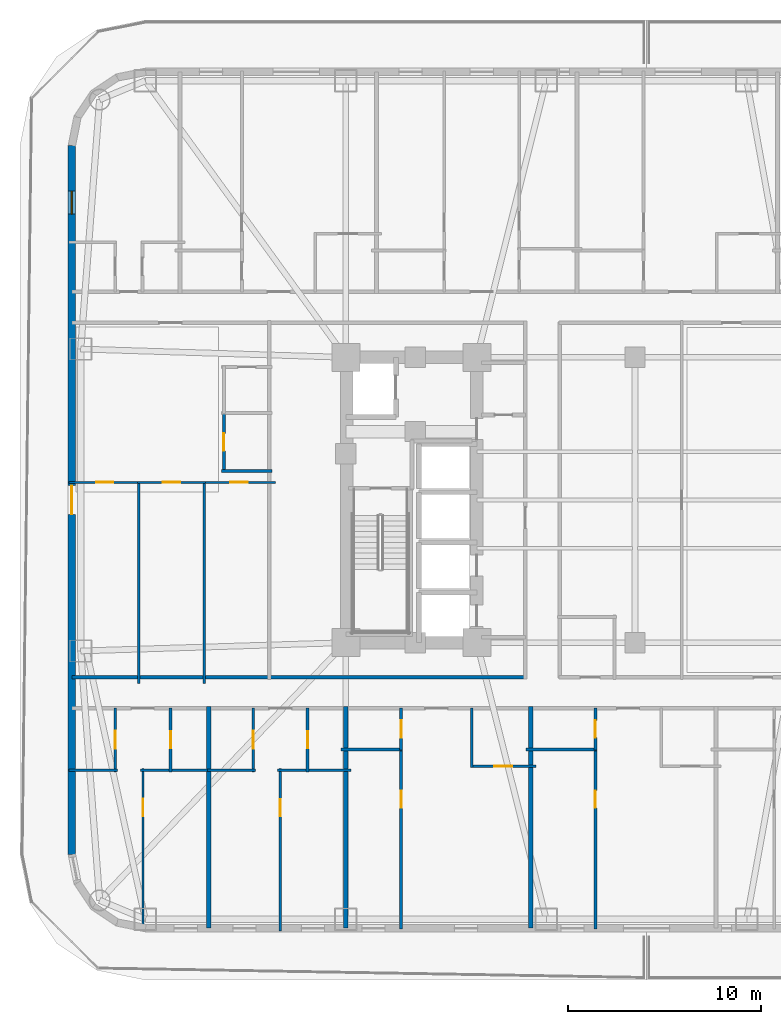
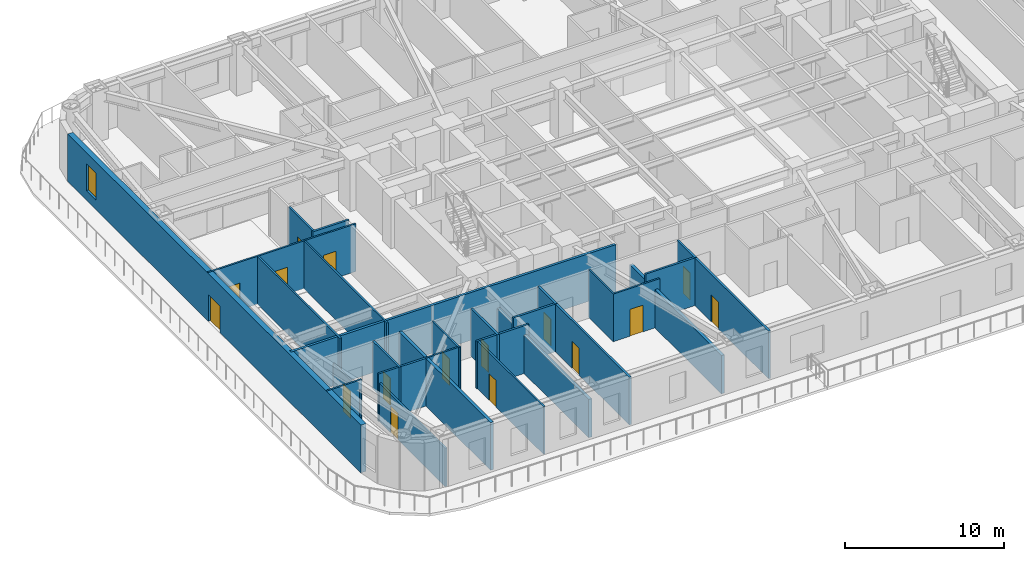
# One storey, part 3 of 14: 30 walls, 16 doors, 1 window, 17 openings.
"""IFC4 building model written with IfcOpenShell, lengths in metres."""

import ifcopenshell
import ifcopenshell.guid

model = None  # the IFC model being written
_history = None  # IfcOwnerHistory: only IFC2X3 demands one
_inside = {}  # id of a spatial element -> (the spatial element, [elements in it])
_under = {}  # id of a project, library or spatial element -> (it, [spatial elements below it])
_declared = {}  # id of a project -> (the project, [libraries it declares])
_typed = {}  # id of a type object -> (the type object, [elements of that type])
_made_of = {}  # id of a material, layer set ... -> (it, [elements and type objects made of it])


def new_model(schema):
    """Start an empty IFC model of exactly this schema.

    Asked for "IFC4X3", IfcOpenShell would pick the latest addendum, in which some entities
    have other attributes; the version numbers below select the first issue.
    IFC2X3 requires an IfcOwnerHistory on every rooted entity: one is made here for all.
    """
    global model, _history
    if schema == "IFC4X3":
        model = ifcopenshell.file(schema_version=(4, 3, 0, 0))
    else:
        model = ifcopenshell.file(schema=schema)
    _inside.clear()
    _under.clear()
    _declared.clear()
    _typed.clear()
    _made_of.clear()
    _history = None
    if model.schema == "IFC2X3":
        org = make("IfcOrganization", Name="unknown")
        user = make(
            "IfcPersonAndOrganization",
            ThePerson=make("IfcPerson", FamilyName="unknown"),
            TheOrganization=org,
        )
        app = make(
            "IfcApplication",
            ApplicationDeveloper=org,
            Version="unknown",
            ApplicationFullName="unknown",
            ApplicationIdentifier="unknown",
        )
        _history = make(
            "IfcOwnerHistory",
            OwningUser=user,
            OwningApplication=app,
            ChangeAction="ADDED",
            CreationDate=0,
        )
    return model


def make(cls, **values):
    """One entity of the class cls with the attributes given. An attribute that is None is left unset."""
    return model.create_entity(
        cls, **{name: value for name, value in values.items() if value is not None}
    )


def rooted(cls, **values):
    """An entity with a GlobalId (a new one), such as an element, a storey or a relation."""
    return make(cls, GlobalId=ifcopenshell.guid.new(), OwnerHistory=_history, **values)


def si_unit(unit_type, name, prefix=None):
    """IfcSIUnit, for example si_unit("LENGTHUNIT", "METRE", prefix="MILLI")."""
    return make("IfcSIUnit", UnitType=unit_type, Prefix=prefix, Name=name)


def assignment(units):
    """IfcUnitAssignment: the units of a project."""
    return None if units is None else make("IfcUnitAssignment", Units=units)


def point(xyz):
    """IfcCartesianPoint."""
    return None if xyz is None else make("IfcCartesianPoint", Coordinates=xyz)


def direction(xyz):
    """IfcDirection."""
    return None if xyz is None else make("IfcDirection", DirectionRatios=xyz)


def frame(location, z_axis=None, x_axis=None):
    """IfcAxis2Placement3D, a coordinate frame: its origin and axes. An axis left out is left unset."""
    return make(
        "IfcAxis2Placement3D",
        Location=point(location),
        Axis=direction(z_axis),
        RefDirection=direction(x_axis),
    )


def frame_2d(location, x_axis=None):
    """IfcAxis2Placement2D, a coordinate frame in the plane: its origin and x axis."""
    return make(
        "IfcAxis2Placement2D", Location=point(location), RefDirection=direction(x_axis)
    )


def origin():
    """The frame at (0, 0, 0) with its axes left unset."""
    return frame((0.0, 0.0, 0.0))


def place(relative_to, where):
    """IfcLocalPlacement: puts the frame where relative to a parent placement (None: the world)."""
    return make(
        "IfcLocalPlacement", PlacementRelTo=relative_to, RelativePlacement=where
    )


def context(
    kind, dimensions, precision=None, world=None, true_north=None, identifier=None
):
    """IfcGeometricRepresentationContext, for example the 3D "Model" context."""
    return make(
        "IfcGeometricRepresentationContext",
        ContextIdentifier=identifier,
        ContextType=kind,
        CoordinateSpaceDimension=dimensions,
        Precision=precision,
        WorldCoordinateSystem=world,
        TrueNorth=true_north,
    )


def subcontext(parent, identifier, kind, view, scale=None):
    """IfcGeometricRepresentationSubContext, for example "Body" below "Model"."""
    return make(
        "IfcGeometricRepresentationSubContext",
        ContextIdentifier=identifier,
        ContextType=kind,
        ParentContext=parent,
        TargetScale=scale,
        TargetView=view,
    )


def project(units=None, contexts=None):
    """IfcProject with its units and contexts."""
    return rooted(
        "IfcProject",
        Name="project",
        RepresentationContexts=contexts,
        UnitsInContext=assignment(units),
    )


def spatial(cls, under=None, at=None, **own):
    """A site, building, storey or space (cls), placed at a placement, below another one or the project."""
    s = rooted(cls, ObjectPlacement=at, **own)
    if under is not None:
        _under.setdefault(under.id(), (under, []))[1].append(s)
    return s


def profile(cls, at=None, kind="AREA", **sizes):
    """A parametric profile (cls). Its sizes go by their IFC names, for example OverallWidth=200.0."""
    return make(cls, ProfileType=kind, Position=at, **sizes)


def rectangle(**sizes):
    """IfcRectangleProfileDef."""
    return profile("IfcRectangleProfileDef", **sizes)


def extrude(swept, where, along, depth):
    """IfcExtrudedAreaSolid: the profile swept, set in the frame where, extruded along a direction by depth."""
    return make(
        "IfcExtrudedAreaSolid",
        SweptArea=swept,
        Position=where,
        ExtrudedDirection=direction(along),
        Depth=depth,
    )


def shape(context_of_items, identifier, shape_type, items):
    """IfcShapeRepresentation: the items that make up one representation, for example the "Body"."""
    return make(
        "IfcShapeRepresentation",
        ContextOfItems=context_of_items,
        RepresentationIdentifier=identifier,
        RepresentationType=shape_type,
        Items=items,
    )


def material(Name=None, Category=None):
    """IfcMaterial."""
    return make("IfcMaterial", Name=Name, Category=Category)


def layer(
    of_material, thickness, ventilated=None, Name=None, Category=None, Priority=None
):
    """IfcMaterialLayer: one layer of a wall or slab, of a material (None: an air gap)."""
    return make(
        "IfcMaterialLayer",
        Material=of_material,
        LayerThickness=thickness,
        IsVentilated=ventilated,
        Name=Name,
        Category=Category,
        Priority=Priority,
    )


def layer_set(layers, Name=None):
    """IfcMaterialLayerSet."""
    return make("IfcMaterialLayerSet", MaterialLayers=layers, LayerSetName=Name)


def made_of(thing, what):
    """Note that an element or type object is made of a material, layer set ...; save() writes the relation."""
    if what is not None:
        _made_of.setdefault(what.id(), (what, []))[1].append(thing)
    return thing


def type_object(cls, material=None, **own):
    """A type object (cls), such as IfcWallType, which elements share."""
    return made_of(rooted(cls, **own), material)


def element(
    cls,
    number,
    at=None,
    inside=None,
    cuts=None,
    type_object=None,
    material=None,
    context=None,
    identifier="Body",
    shape_type=None,
    held_by="IfcProductDefinitionShape",
    body=None,
    shapes=None,
    **own,
):
    """One element of the class cls, such as IfcWall. Its Tag is "e" and its number.

    at: its placement. inside: the storey or other place that contains it. cuts: it is an
    opening in that element (IfcRelVoidsElement). A single representation is given by context,
    identifier, shape_type and body (its items); several are given by shapes. held_by: the class
    of the entity that holds the representations. save() writes the other relations.
    """
    e = rooted(cls, Tag="e%d" % number, ObjectPlacement=at, **own)
    if body is not None:
        shapes = [shape(context, identifier, shape_type, body)]
    if shapes is not None:
        e.Representation = make(held_by, Representations=shapes)
    if inside is not None:
        _inside.setdefault(inside.id(), (inside, []))[1].append(e)
    if cuts is not None:
        rooted(
            "IfcRelVoidsElement", RelatingBuildingElement=cuts, RelatedOpeningElement=e
        )
    if type_object is not None:
        _typed.setdefault(type_object.id(), (type_object, []))[1].append(e)
    return made_of(e, material)


def fill(opening, filler):
    """IfcRelFillsElement: the door or window that sits in an opening."""
    return rooted(
        "IfcRelFillsElement",
        RelatingOpeningElement=opening,
        RelatedBuildingElement=filler,
    )


def aggregate(whole, parts):
    """IfcRelAggregates: a whole, such as a stair, and the parts it consists of."""
    return rooted("IfcRelAggregates", RelatingObject=whole, RelatedObjects=parts)


def save(model, path):
    """Write the relations noted so far, then the file.

    IfcRelAggregates (storeys below a building ...), IfcRelContainedInSpatialStructure (elements
    in a storey), IfcRelDefinesByType, IfcRelAssociatesMaterial and IfcRelDeclares: one each for
    every whole, place, type object, material and project.
    """
    for whole, parts in _under.values():
        aggregate(whole, parts)
    for where, things in _inside.values():
        rooted(
            "IfcRelContainedInSpatialStructure",
            RelatedElements=things,
            RelatingStructure=where,
        )
    for kind, things in _typed.values():
        rooted("IfcRelDefinesByType", RelatedObjects=things, RelatingType=kind)
    for what, things in _made_of.values():
        rooted("IfcRelAssociatesMaterial", RelatedObjects=things, RelatingMaterial=what)
    for by, libraries in _declared.values():
        rooted("IfcRelDeclares", RelatingContext=by, RelatedDefinitions=libraries)
    model.write(path)


model = new_model("IFC4")

# Units and contexts
model_context = context("Model", 3, precision=1e-05, world=origin(), true_north=direction((0.0, 1.0)))
body_context = subcontext(model_context, "Body", "Model", "MODEL_VIEW")
ifc_project = project(units=[si_unit("LENGTHUNIT", "METRE"), si_unit("AREAUNIT", "SQUARE_METRE"), si_unit("VOLUMEUNIT", "CUBIC_METRE"), si_unit("PLANEANGLEUNIT", "RADIAN"), si_unit("MASSUNIT", "GRAM", prefix="KILO")], contexts=[model_context])

# Site, building, storey
site_placement = place(None, origin())
site = spatial("IfcSite", under=ifc_project, at=site_placement, CompositionType="ELEMENT")
building_placement = place(site_placement, origin())
building = spatial("IfcBuilding", under=site, at=building_placement, Name="Voryun Gate Residences", CompositionType="ELEMENT")
storey_placement = place(building_placement, frame((0.0, 0.0, 53.300048828125)))
storey = spatial("IfcBuildingStorey", under=building, at=storey_placement, Name="L12", CompositionType="ELEMENT", Elevation=53.300048828125)

# Wall
ifc_material_1 = material(Name="Gypsum acoustic fireboard")
ifc_layer_1 = layer(ifc_material_1, 0.179931640625, Name="W_CORR_RATED_180")
ifc_layer_set_1 = layer_set([ifc_layer_1], Name="Gypsum acoustic fireboard")
wall_type_1 = type_object("IfcWallType", Name="W_CORR_RATED_180", PredefinedType="PARTITIONING", material=ifc_layer_set_1)
wall_1_placement = place(storey_placement, frame((-33.409912109375, -9.18994140625, 0.0), z_axis=(0.0, 0.0, 1.0), x_axis=(1.0, 0.0, 0.0)))
element("IfcWall", 1, at=wall_1_placement, inside=storey, type_object=wall_type_1, Name="Partition wall WP-L12-CWING-WS", PredefinedType="PARTITIONING", context=body_context, shape_type="SweptSolid", body=[
    extrude(rectangle(XDim=23.530029296875, YDim=0.179931640625, at=frame_2d((11.76513671875, 0.0))), origin(), (0.0, 0.0, 1.0), 3.64990234375),
])

# Wall, openings, door, window
ifc_material_2 = material(Name="Granite masonry", Category="masonry")
ifc_layer_2 = layer(ifc_material_2, 0.3798828125, Name="W_EXT_GRANITE_380")
ifc_layer_set_2 = layer_set([ifc_layer_2], Name="Granite masonry")
wall_type_2 = type_object("IfcWallType", Name="W_EXT_GRANITE_380", PredefinedType="ELEMENTEDWALL", material=ifc_layer_set_2)
wall_2_placement = place(storey_placement, frame((-33.409912109375, -18.38134765625, 0.0), z_axis=(0.0, 0.0, 1.0), x_axis=(0.0, 1.0, 0.0)))
wall_2 = element("IfcWall", 2, at=wall_2_placement, inside=storey, type_object=wall_type_2, Name="Exterior wall WEXT-L12-06", PredefinedType="ELEMENTEDWALL", context=body_context, shape_type="SweptSolid", body=[
    extrude(rectangle(XDim=36.7626953125, YDim=0.3798828125, at=frame_2d((18.38134765625, 0.0))), origin(), (0.0, 0.0, 1.0), 3.64990234375),
])
opening_1_placement = place(wall_2_placement, frame((17.631103515625, 0.0, 0.0)))
opening_1 = element("IfcOpeningElement", 3, at=opening_1_placement, cuts=wall_2, Name="Opening D-TER-1", PredefinedType="OPENING", context=body_context, shape_type="SweptSolid", body=[
    extrude(rectangle(XDim=1.5, YDim=2.050048828125, at=frame_2d((0.75, 1.02490234375))), frame((0.0, 0.199951171875, 0.0), z_axis=(0.0, -1.0, 0.0), x_axis=(1.0, 0.0, 0.0)), (0.0, 0.0, 1.0), 0.39990234375),
])
opening_2_placement = place(wall_2_placement, frame((33.20703125, 0.0, 0.75)))
opening_2 = element("IfcOpeningElement", 4, at=opening_2_placement, cuts=wall_2, Name="Opening WN6", PredefinedType="OPENING", context=body_context, shape_type="SweptSolid", body=[
    extrude(rectangle(XDim=1.199951171875, YDim=2.050048828125, at=frame_2d((0.60009765625, 1.02490234375))), frame((0.0, 0.199951171875, 0.0), z_axis=(0.0, -1.0, 0.0), x_axis=(1.0, 0.0, 0.0)), (0.0, 0.0, 1.0), 0.39990234375),
])
ifc_material_3 = material(Name="Thermally broken aluminium and low-E glass", Category="aluminium")
door_type_1 = type_object("IfcDoorType", Name="DR_TERR_EXIT_1500", OperationType="NOTDEFINED", PredefinedType="DOOR", material=ifc_material_3)
door_1_placement = place(opening_1_placement, origin())
door_1 = element("IfcDoor", 5, at=door_1_placement, inside=storey, type_object=door_type_1, Name="Door DR-L12-OUT-01", OperationType="SLIDING_TO_RIGHT", OverallHeight=2.050048828125, OverallWidth=1.5, PredefinedType="DOOR", context=body_context, shape_type="SweptSolid", body=[
    extrude(rectangle(XDim=1.5, YDim=2.050048828125, at=frame_2d((0.75, 1.02490234375))), frame((0.0, 0.02490234375, 0.0), z_axis=(0.0, -1.0, 0.0), x_axis=(1.0, 0.0, 0.0)), (0.0, 0.0, 1.0), 0.050048828125),
])
fill(opening_1, door_1)
ifc_material_4 = material(Name="Laminated low-E glass", Category="glass")
window_type = type_object("IfcWindowType", Name="WN_POD_SLOT_1200", PartitioningType="SINGLE_PANEL", PredefinedType="WINDOW", material=ifc_material_4)
window_placement = place(opening_2_placement, origin())
window = element("IfcWindow", 6, at=window_placement, inside=storey, type_object=window_type, Name="Window WN-L12-DWFIX-01", OverallHeight=2.050048828125, OverallWidth=1.199951171875, PartitioningType="SINGLE_PANEL", PredefinedType="WINDOW", context=body_context, shape_type="SweptSolid", body=[
    extrude(rectangle(XDim=1.199951171875, YDim=2.050048828125, at=frame_2d((0.60009765625, 1.02490234375))), frame((0.0, 0.030029296875, 0.0), z_axis=(0.0, -1.0, 0.0), x_axis=(1.0, 0.0, 0.0)), (0.0, 0.0, 1.0), 0.06005859375),
])
fill(opening_2, window)

# Walls
ifc_material_5 = material(Name="Concrete C40/50", Category="concrete")
ifc_layer_3 = layer(ifc_material_5, 0.219970703125, Name="W_PARTY_ACOUSTIC_220")
ifc_layer_set_3 = layer_set([ifc_layer_3], Name="Concrete C40/50")
wall_type_3 = type_object("IfcWallType", Name="W_PARTY_ACOUSTIC_220", PredefinedType="PARTITIONING", material=ifc_layer_set_3)
wall_3_placement = place(storey_placement, frame((-26.30908203125, -22.2099609375, 0.0), z_axis=(0.0, 0.0, 1.0), x_axis=(0.0, 1.0, 0.0)))
element("IfcWall", 7, at=wall_3_placement, inside=storey, type_object=wall_type_3, Name="Partition wall WP-L12-SPTY-1", PredefinedType="PARTITIONING", context=body_context, shape_type="SweptSolid", body=[
    extrude(rectangle(XDim=11.489990234375, YDim=0.219970703125, at=frame_2d((5.7451171875, 0.0))), origin(), (0.0, 0.0, 1.0), 3.64990234375),
])
for number, where, z_axis, x_axis, name in (
    (8, (-19.199951171875, -22.2099609375, 0.0), (0.0, 0.0, 1.0), (0.0, 1.0, 0.0), "Partition wall WP-L12-SPTY-2"),
    (9, (-9.60009765625, -22.2099609375, 0.0), (0.0, 0.0, 1.0), (0.0, 1.0, 0.0), "Partition wall WP-L12-SPTY-3"),
):
    element("IfcWall", number, at=place(storey_placement, frame(where, z_axis=z_axis, x_axis=x_axis)), inside=storey, type_object=wall_type_3, Name=name, PredefinedType="PARTITIONING", context=body_context, shape_type="SweptSolid", body=[
        extrude(rectangle(XDim=11.489990234375, YDim=0.219970703125, at=frame_2d((5.7451171875, 0.0))), origin(), (0.0, 0.0, 1.0), 2.93994140625),
    ])

# Wall, opening, door
ifc_material_6 = material(Name="Gypsum acoustic partition")
ifc_layer_4 = layer(ifc_material_6, 0.125, Name="W_UNIT_PART_125")
ifc_layer_set_4 = layer_set([ifc_layer_4], Name="Gypsum acoustic partition")
wall_type_4 = type_object("IfcWallType", Name="W_UNIT_PART_125", PredefinedType="PARTITIONING", material=ifc_layer_set_4)
wall_4_placement = place(storey_placement, frame((-29.718994140625, -22.33544921875, 0.0), z_axis=(0.0, 0.0, 1.0), x_axis=(0.0, 1.0, 0.0)))
wall_4 = element("IfcWall", 10, at=wall_4_placement, inside=storey, type_object=wall_type_4, Name="Partition wall WP-L12-S1-OVR", PredefinedType="PARTITIONING", context=body_context, shape_type="SweptSolid", body=[
    extrude(rectangle(XDim=8.3955078125, YDim=0.125, at=frame_2d((4.19775390625, 0.0))), origin(), (0.0, 0.0, 1.0), 2.93994140625),
])
opening_3_placement = place(wall_4_placement, frame((5.9306640625, 0.0, 0.0)))
opening_3 = element("IfcOpeningElement", 11, at=opening_3_placement, cuts=wall_4, Name="Opening D-INT-2", PredefinedType="OPENING", context=body_context, shape_type="SweptSolid", body=[
    extrude(rectangle(XDim=0.89990234375, YDim=2.050048828125, at=frame_2d((0.449951171875, 1.02490234375))), frame((0.0, 0.072509765625, 0.0), z_axis=(0.0, -1.0, 0.0), x_axis=(1.0, 0.0, 0.0)), (0.0, 0.0, 1.0), 0.14501953125),
])
ifc_material_7 = material(Name="Architectural oak veneer")
door_type_2 = type_object("IfcDoorType", Name="DR_INT_BATH_900", OperationType="NOTDEFINED", PredefinedType="DOOR", material=ifc_material_7)
door_2_placement = place(opening_3_placement, origin())
door_2 = element("IfcDoor", 12, at=door_2_placement, inside=storey, type_object=door_type_2, Name="Door DR-L12-S1-DMB", OperationType="SINGLE_SWING_RIGHT", OverallHeight=2.050048828125, OverallWidth=0.89990234375, PredefinedType="DOOR", context=body_context, shape_type="SweptSolid", body=[
    extrude(rectangle(XDim=0.89990234375, YDim=2.050048828125, at=frame_2d((0.449951171875, 1.02490234375))), frame((0.0, 0.02490234375, 0.0), z_axis=(0.0, -1.0, 0.0), x_axis=(1.0, 0.0, 0.0)), (0.0, 0.0, 1.0), 0.050048828125),
])
fill(opening_3, door_2)

wall_5_placement = place(storey_placement, frame((-31.16796875, -14.10009765625, 0.0), z_axis=(0.0, 0.0, 1.0), x_axis=(0.0, 1.0, 0.0)))
wall_5 = element("IfcWall", 13, at=wall_5_placement, inside=storey, type_object=wall_type_4, Name="Partition wall WP-L12-S1-IVK", PredefinedType="PARTITIONING", context=body_context, shape_type="SweptSolid", body=[
    extrude(rectangle(XDim=3.320068359375, YDim=0.125, at=frame_2d((1.66015625, 0.0))), origin(), (0.0, 0.0, 1.0), 2.93994140625),
])
opening_4_placement = place(wall_5_placement, frame((1.18505859375, 0.0, 0.0)))
opening_4 = element("IfcOpeningElement", 14, at=opening_4_placement, cuts=wall_5, Name="Opening D-INT-1", PredefinedType="OPENING", context=body_context, shape_type="SweptSolid", body=[
    extrude(rectangle(XDim=0.949951171875, YDim=2.050048828125, at=frame_2d((0.47509765625, 1.02490234375))), frame((0.0, 0.072509765625, 0.0), z_axis=(0.0, -1.0, 0.0), x_axis=(1.0, 0.0, 0.0)), (0.0, 0.0, 1.0), 0.14501953125),
])
ifc_material_8 = material(Name="Architectural oak veneer")
door_type_3 = type_object("IfcDoorType", Name="DR_INT_ROOM_950", OperationType="NOTDEFINED", PredefinedType="DOOR", material=ifc_material_8)
door_3_placement = place(opening_4_placement, origin())
door_3 = element("IfcDoor", 15, at=door_3_placement, inside=storey, type_object=door_type_3, Name="Door DR-L12-S1-DK", OperationType="SINGLE_SWING_LEFT", OverallHeight=2.050048828125, OverallWidth=0.949951171875, PredefinedType="DOOR", context=body_context, shape_type="SweptSolid", body=[
    extrude(rectangle(XDim=0.949951171875, YDim=2.050048828125, at=frame_2d((0.47509765625, 1.02490234375))), frame((0.0, 0.02490234375, 0.0), z_axis=(0.0, -1.0, 0.0), x_axis=(1.0, 0.0, 0.0)), (0.0, 0.0, 1.0), 0.050048828125),
])
fill(opening_4, door_3)

# Wall
wall_6_placement = place(storey_placement, frame((-33.56005859375, -14.02001953125, 0.0), z_axis=(0.0, 0.0, 1.0), x_axis=(1.0, 0.0, 0.0)))
element("IfcWall", 16, at=wall_6_placement, inside=storey, type_object=wall_type_4, Name="Partition wall WP-L12-S1-HZK", PredefinedType="PARTITIONING", context=body_context, shape_type="SweptSolid", body=[
    extrude(rectangle(XDim=2.511962890625, YDim=0.125, at=frame_2d((1.255859375, 0.0))), origin(), (0.0, 0.0, 1.0), 3.64990234375),
])

# Wall, opening, door
wall_7_placement = place(storey_placement, frame((-22.610107421875, -22.360107421875, 0.0), z_axis=(0.0, 0.0, 1.0), x_axis=(0.0, 1.0, 0.0)))
wall_7 = element("IfcWall", 17, at=wall_7_placement, inside=storey, type_object=wall_type_4, Name="Partition wall WP-L12-S2-OVR", PredefinedType="PARTITIONING", context=body_context, shape_type="SweptSolid", body=[
    extrude(rectangle(XDim=8.420166015625, YDim=0.125, at=frame_2d((4.2099609375, 0.0))), origin(), (0.0, 0.0, 1.0), 3.64990234375),
])
opening_5_placement = place(wall_7_placement, frame((5.94921875, 0.0, 0.0)))
opening_5 = element("IfcOpeningElement", 18, at=opening_5_placement, cuts=wall_7, Name="Opening D-INT-2", PredefinedType="OPENING", context=body_context, shape_type="SweptSolid", body=[
    extrude(rectangle(XDim=0.89990234375, YDim=2.050048828125, at=frame_2d((0.449951171875, 1.02490234375))), frame((0.0, 0.072509765625, 0.0), z_axis=(0.0, -1.0, 0.0), x_axis=(1.0, 0.0, 0.0)), (0.0, 0.0, 1.0), 0.14501953125),
])
door_4_placement = place(opening_5_placement, origin())
door_4 = element("IfcDoor", 19, at=door_4_placement, inside=storey, type_object=door_type_2, Name="Door DR-L12-S2-DMB", OperationType="SINGLE_SWING_RIGHT", OverallHeight=2.050048828125, OverallWidth=0.89990234375, PredefinedType="DOOR", context=body_context, shape_type="SweptSolid", body=[
    extrude(rectangle(XDim=0.89990234375, YDim=2.050048828125, at=frame_2d((0.449951171875, 1.02490234375))), frame((0.0, 0.02490234375, 0.0), z_axis=(0.0, -1.0, 0.0), x_axis=(1.0, 0.0, 0.0)), (0.0, 0.0, 1.0), 0.050048828125),
])
fill(opening_5, door_4)

wall_8_placement = place(storey_placement, frame((-23.9990234375, -14.10009765625, 0.0), z_axis=(0.0, 0.0, 1.0), x_axis=(0.0, 1.0, 0.0)))
wall_8 = element("IfcWall", 20, at=wall_8_placement, inside=storey, type_object=wall_type_4, Name="Partition wall WP-L12-S2-IVK", PredefinedType="PARTITIONING", context=body_context, shape_type="SweptSolid", body=[
    extrude(rectangle(XDim=3.320068359375, YDim=0.125, at=frame_2d((1.66015625, 0.0))), origin(), (0.0, 0.0, 1.0), 3.64990234375),
])
opening_6_placement = place(wall_8_placement, frame((1.18505859375, 0.0, 0.0)))
opening_6 = element("IfcOpeningElement", 21, at=opening_6_placement, cuts=wall_8, Name="Opening D-INT-1", PredefinedType="OPENING", context=body_context, shape_type="SweptSolid", body=[
    extrude(rectangle(XDim=0.949951171875, YDim=2.050048828125, at=frame_2d((0.47509765625, 1.02490234375))), frame((0.0, 0.072509765625, 0.0), z_axis=(0.0, -1.0, 0.0), x_axis=(1.0, 0.0, 0.0)), (0.0, 0.0, 1.0), 0.14501953125),
])
door_5_placement = place(opening_6_placement, origin())
door_5 = element("IfcDoor", 22, at=door_5_placement, inside=storey, type_object=door_type_3, Name="Door DR-L12-S2-DK", OperationType="SINGLE_SWING_LEFT", OverallHeight=2.050048828125, OverallWidth=0.949951171875, PredefinedType="DOOR", context=body_context, shape_type="SweptSolid", body=[
    extrude(rectangle(XDim=0.949951171875, YDim=2.050048828125, at=frame_2d((0.47509765625, 1.02490234375))), frame((0.0, 0.02490234375, 0.0), z_axis=(0.0, -1.0, 0.0), x_axis=(1.0, 0.0, 0.0)), (0.0, 0.0, 1.0), 0.050048828125),
])
fill(opening_6, door_5)

# Wall
wall_9_placement = place(storey_placement, frame((-26.384033203125, -14.02001953125, 0.0), z_axis=(0.0, 0.0, 1.0), x_axis=(1.0, 0.0, 0.0)))
element("IfcWall", 23, at=wall_9_placement, inside=storey, type_object=wall_type_4, Name="Partition wall WP-L12-S2-HZK", PredefinedType="PARTITIONING", context=body_context, shape_type="SweptSolid", body=[
    extrude(rectangle(XDim=2.505126953125, YDim=0.125, at=frame_2d((1.25244140625, 0.0))), origin(), (0.0, 0.0, 1.0), 3.64990234375),
])

# Wall, opening, door
wall_10_placement = place(storey_placement, frame((-12.722900390625, -13.820068359375, 0.0), z_axis=(0.0, 0.0, 1.0), x_axis=(1.0, 0.0, 0.0)))
wall_10 = element("IfcWall", 24, at=wall_10_placement, inside=storey, type_object=wall_type_4, Name="Partition wall WP-L12-S3-KHY", PredefinedType="PARTITIONING", context=body_context, shape_type="SweptSolid", body=[
    extrude(rectangle(XDim=3.3828125, YDim=0.125, at=frame_2d((1.69140625, 0.0))), origin(), (0.0, 0.0, 1.0), 3.64990234375),
])
opening_7_placement = place(wall_10_placement, frame((1.216552734375, 0.0, 0.0)))
opening_7 = element("IfcOpeningElement", 25, at=opening_7_placement, cuts=wall_10, Name="Opening D-INT-1", PredefinedType="OPENING", context=body_context, shape_type="SweptSolid", body=[
    extrude(rectangle(XDim=0.949951171875, YDim=2.050048828125, at=frame_2d((0.47509765625, 1.02490234375))), frame((0.0, 0.072509765625, 0.0), z_axis=(0.0, -1.0, 0.0), x_axis=(1.0, 0.0, 0.0)), (0.0, 0.0, 1.0), 0.14501953125),
])
door_6_placement = place(opening_7_placement, origin())
door_6 = element("IfcDoor", 26, at=door_6_placement, inside=storey, type_object=door_type_3, Name="Door DR-L12-S3-DK", OperationType="SINGLE_SWING_LEFT", OverallHeight=2.050048828125, OverallWidth=0.949951171875, PredefinedType="DOOR", context=body_context, shape_type="SweptSolid", body=[
    extrude(rectangle(XDim=0.949951171875, YDim=2.050048828125, at=frame_2d((0.47509765625, 1.02490234375))), frame((0.0, 0.02490234375, 0.0), z_axis=(0.0, -1.0, 0.0), x_axis=(1.0, 0.0, 0.0)), (0.0, 0.0, 1.0), 0.050048828125),
])
fill(opening_7, door_6)

# Wall
wall_11_placement = place(storey_placement, frame((-12.6630859375, -13.8798828125, 0.0), z_axis=(0.0, 0.0, 1.0), x_axis=(0.0, 1.0, 0.0)))
element("IfcWall", 27, at=wall_11_placement, inside=storey, type_object=wall_type_4, Name="Partition wall WP-L12-S3-KVX", PredefinedType="PARTITIONING", context=body_context, shape_type="SweptSolid", body=[
    extrude(rectangle(XDim=3.099853515625, YDim=0.125, at=frame_2d((1.5498046875, 0.0))), origin(), (0.0, 0.0, 1.0), 3.64990234375),
])

# Wall, opening, door
wall_12_placement = place(storey_placement, frame((-33.56005859375, 0.909912109375, 0.0), z_axis=(0.0, 0.0, 1.0), x_axis=(1.0, 0.0, 0.0)))
wall_12 = element("IfcWall", 28, at=wall_12_placement, inside=storey, type_object=wall_type_4, Name="Partition wall WP-L12-W1-HZMB1", PredefinedType="PARTITIONING", context=body_context, shape_type="SweptSolid", body=[
    extrude(rectangle(XDim=3.689453125, YDim=0.125, at=frame_2d((1.8447265625, 0.0))), origin(), (0.0, 0.0, 1.0), 3.64990234375),
])
opening_8_placement = place(wall_12_placement, frame((1.403564453125, 0.0, 0.0)))
opening_8 = element("IfcOpeningElement", 29, at=opening_8_placement, cuts=wall_12, Name="Opening D-INT-2", PredefinedType="OPENING", context=body_context, shape_type="SweptSolid", body=[
    extrude(rectangle(XDim=0.89990234375, YDim=2.050048828125, at=frame_2d((0.449951171875, 1.02490234375))), frame((0.0, 0.072509765625, 0.0), z_axis=(0.0, -1.0, 0.0), x_axis=(1.0, 0.0, 0.0)), (0.0, 0.0, 1.0), 0.14501953125),
])
door_7_placement = place(opening_8_placement, origin())
door_7 = element("IfcDoor", 30, at=door_7_placement, inside=storey, type_object=door_type_2, Name="Door DR-L12-W1-DMB", OperationType="SINGLE_SWING_LEFT", OverallHeight=2.050048828125, OverallWidth=0.89990234375, PredefinedType="DOOR", context=body_context, shape_type="SweptSolid", body=[
    extrude(rectangle(XDim=0.89990234375, YDim=2.050048828125, at=frame_2d((0.449951171875, 1.02490234375))), frame((0.0, 0.02490234375, 0.0), z_axis=(0.0, -1.0, 0.0), x_axis=(1.0, 0.0, 0.0)), (0.0, 0.0, 1.0), 0.050048828125),
])
fill(opening_8, door_7)

wall_13_placement = place(storey_placement, frame((-29.99560546875, 0.909912109375, 0.0), z_axis=(0.0, 0.0, 1.0), x_axis=(1.0, 0.0, 0.0)))
wall_13 = element("IfcWall", 31, at=wall_13_placement, inside=storey, type_object=wall_type_4, Name="Partition wall WP-L12-W1-HZMB2", PredefinedType="PARTITIONING", context=body_context, shape_type="SweptSolid", body=[
    extrude(rectangle(XDim=3.506103515625, YDim=0.125, at=frame_2d((1.7529296875, 0.0))), origin(), (0.0, 0.0, 1.0), 3.64990234375),
])
opening_9_placement = place(wall_13_placement, frame((1.302978515625, 0.0, 0.0)))
opening_9 = element("IfcOpeningElement", 32, at=opening_9_placement, cuts=wall_13, Name="Opening D-INT-2", PredefinedType="OPENING", context=body_context, shape_type="SweptSolid", body=[
    extrude(rectangle(XDim=0.89990234375, YDim=2.050048828125, at=frame_2d((0.449951171875, 1.02490234375))), frame((0.0, 0.072509765625, 0.0), z_axis=(0.0, -1.0, 0.0), x_axis=(1.0, 0.0, 0.0)), (0.0, 0.0, 1.0), 0.14501953125),
])
door_8_placement = place(opening_9_placement, origin())
door_8 = element("IfcDoor", 33, at=door_8_placement, inside=storey, type_object=door_type_2, Name="Door DR-L12-W1-DBD2", OperationType="SINGLE_SWING_RIGHT", OverallHeight=2.050048828125, OverallWidth=0.89990234375, PredefinedType="DOOR", context=body_context, shape_type="SweptSolid", body=[
    extrude(rectangle(XDim=0.89990234375, YDim=2.050048828125, at=frame_2d((0.449951171875, 1.02490234375))), frame((0.0, 0.02490234375, 0.0), z_axis=(0.0, -1.0, 0.0), x_axis=(1.0, 0.0, 0.0)), (0.0, 0.0, 1.0), 0.050048828125),
])
fill(opening_9, door_8)

wall_14_placement = place(storey_placement, frame((-26.614501953125, 0.909912109375, 0.0), z_axis=(0.0, 0.0, 1.0), x_axis=(1.0, 0.0, 0.0)))
wall_14 = element("IfcWall", 34, at=wall_14_placement, inside=storey, type_object=wall_type_4, Name="Partition wall WP-L12-W1-HZMB3", PredefinedType="PARTITIONING", context=body_context, shape_type="SweptSolid", body=[
    extrude(rectangle(XDim=3.764404296875, YDim=0.125, at=frame_2d((1.88232421875, 0.0))), origin(), (0.0, 0.0, 1.0), 3.64990234375),
])
opening_10_placement = place(wall_14_placement, frame((1.423583984375, 0.0, 0.0)))
opening_10 = element("IfcOpeningElement", 35, at=opening_10_placement, cuts=wall_14, Name="Opening D-INT-2", PredefinedType="OPENING", context=body_context, shape_type="SweptSolid", body=[
    extrude(rectangle(XDim=0.89990234375, YDim=2.050048828125, at=frame_2d((0.449951171875, 1.02490234375))), frame((0.0, 0.072509765625, 0.0), z_axis=(0.0, -1.0, 0.0), x_axis=(1.0, 0.0, 0.0)), (0.0, 0.0, 1.0), 0.14501953125),
])
door_9_placement = place(opening_10_placement, origin())
door_9 = element("IfcDoor", 36, at=door_9_placement, inside=storey, type_object=door_type_2, Name="Door DR-L12-W1-DBD3", OperationType="SINGLE_SWING_LEFT", OverallHeight=2.050048828125, OverallWidth=0.89990234375, PredefinedType="DOOR", context=body_context, shape_type="SweptSolid", body=[
    extrude(rectangle(XDim=0.89990234375, YDim=2.050048828125, at=frame_2d((0.449951171875, 1.02490234375))), frame((0.0, 0.02490234375, 0.0), z_axis=(0.0, -1.0, 0.0), x_axis=(1.0, 0.0, 0.0)), (0.0, 0.0, 1.0), 0.050048828125),
])
fill(opening_10, door_9)

# Walls
for number, where, z_axis, x_axis, name in (
    (37, (-26.552001953125, -9.510009765625, 0.0), (0.0, 0.0, 1.0), (0.0, 1.0, 0.0), "Partition wall WP-L12-W1-VMB2"),
    (38, (-29.93310546875, -9.510009765625, 0.0), (0.0, 0.0, 1.0), (0.0, 1.0, 0.0), "Partition wall WP-L12-W1-VMB"),
):
    element("IfcWall", number, at=place(storey_placement, frame(where, z_axis=z_axis, x_axis=x_axis)), inside=storey, type_object=wall_type_4, Name=name, PredefinedType="PARTITIONING", context=body_context, shape_type="SweptSolid", body=[
        extrude(rectangle(XDim=10.47998046875, YDim=0.125, at=frame_2d((5.239990234375, 0.0))), origin(), (0.0, 0.0, 1.0), 3.64990234375),
    ])
ifc_material_9 = material(Name="Gypsum moisture-resistant partition")
ifc_layer_5 = layer(ifc_material_9, 0.14990234375, Name="W_WET_PLUMB_150")
ifc_layer_set_5 = layer_set([ifc_layer_5], Name="Gypsum moisture-resistant partition")
wall_type_5 = type_object("IfcWallType", Name="W_WET_PLUMB_150", PredefinedType="PLUMBINGWALL", material=ifc_layer_set_5)
wall_15_placement = place(storey_placement, frame((-29.839111328125, -14.02001953125, 0.0), z_axis=(0.0, 0.0, 1.0), x_axis=(1.0, 0.0, 0.0)))
element("IfcWall", 39, at=wall_15_placement, inside=storey, type_object=wall_type_5, Name="Partition wall WP-L12-S1-HZB", PredefinedType="PLUMBINGWALL", context=body_context, shape_type="SweptSolid", body=[
    extrude(rectangle(XDim=3.605224609375, YDim=0.14990234375, at=frame_2d((1.802734375, 0.0))), origin(), (0.0, 0.0, 1.0), 3.64990234375),
])

# Wall, opening, door
wall_16_placement = place(storey_placement, frame((-28.2890625, -14.10009765625, 0.0), z_axis=(0.0, 0.0, 1.0), x_axis=(0.0, 1.0, 0.0)))
wall_16 = element("IfcWall", 40, at=wall_16_placement, inside=storey, type_object=wall_type_5, Name="Partition wall WP-L12-S1-IVB", PredefinedType="PLUMBINGWALL", context=body_context, shape_type="SweptSolid", body=[
    extrude(rectangle(XDim=3.320068359375, YDim=0.14990234375, at=frame_2d((1.66015625, 0.0))), origin(), (0.0, 0.0, 1.0), 3.64990234375),
])
opening_11_placement = place(wall_16_placement, frame((1.2099609375, 0.0, 0.0)))
opening_11 = element("IfcOpeningElement", 41, at=opening_11_placement, cuts=wall_16, Name="Opening D-INT-2", PredefinedType="OPENING", context=body_context, shape_type="SweptSolid", body=[
    extrude(rectangle(XDim=0.89990234375, YDim=2.050048828125, at=frame_2d((0.449951171875, 1.02490234375))), frame((0.0, 0.0849609375, 0.0), z_axis=(0.0, -1.0, 0.0), x_axis=(1.0, 0.0, 0.0)), (0.0, 0.0, 1.0), 0.169921875),
])
door_10_placement = place(opening_11_placement, origin())
door_10 = element("IfcDoor", 42, at=door_10_placement, inside=storey, type_object=door_type_2, Name="Door DR-L12-S1-DB", OperationType="SINGLE_SWING_RIGHT", OverallHeight=2.050048828125, OverallWidth=0.89990234375, PredefinedType="DOOR", context=body_context, shape_type="SweptSolid", body=[
    extrude(rectangle(XDim=0.89990234375, YDim=2.050048828125, at=frame_2d((0.449951171875, 1.02490234375))), frame((0.0, 0.02490234375, 0.0), z_axis=(0.0, -1.0, 0.0), x_axis=(1.0, 0.0, 0.0)), (0.0, 0.0, 1.0), 0.050048828125),
])
fill(opening_11, door_10)

# Wall
wall_17_placement = place(storey_placement, frame((-22.72998046875, -14.02001953125, 0.0), z_axis=(0.0, 0.0, 1.0), x_axis=(1.0, 0.0, 0.0)))
element("IfcWall", 43, at=wall_17_placement, inside=storey, type_object=wall_type_5, Name="Partition wall WP-L12-S2-HZB", PredefinedType="PLUMBINGWALL", context=body_context, shape_type="SweptSolid", body=[
    extrude(rectangle(XDim=3.7900390625, YDim=0.14990234375, at=frame_2d((1.89501953125, 0.0))), origin(), (0.0, 0.0, 1.0), 3.64990234375),
])

# Wall, opening, door
wall_18_placement = place(storey_placement, frame((-21.179931640625, -14.10009765625, 0.0), z_axis=(0.0, 0.0, 1.0), x_axis=(0.0, 1.0, 0.0)))
wall_18 = element("IfcWall", 44, at=wall_18_placement, inside=storey, type_object=wall_type_5, Name="Partition wall WP-L12-S2-IVB", PredefinedType="PLUMBINGWALL", context=body_context, shape_type="SweptSolid", body=[
    extrude(rectangle(XDim=3.320068359375, YDim=0.14990234375, at=frame_2d((1.66015625, 0.0))), origin(), (0.0, 0.0, 1.0), 3.64990234375),
])
opening_12_placement = place(wall_18_placement, frame((1.2099609375, 0.0, 0.0)))
opening_12 = element("IfcOpeningElement", 45, at=opening_12_placement, cuts=wall_18, Name="Opening D-INT-2", PredefinedType="OPENING", context=body_context, shape_type="SweptSolid", body=[
    extrude(rectangle(XDim=0.89990234375, YDim=2.050048828125, at=frame_2d((0.449951171875, 1.02490234375))), frame((0.0, 0.0849609375, 0.0), z_axis=(0.0, -1.0, 0.0), x_axis=(1.0, 0.0, 0.0)), (0.0, 0.0, 1.0), 0.169921875),
])
door_11_placement = place(opening_12_placement, origin())
door_11 = element("IfcDoor", 46, at=door_11_placement, inside=storey, type_object=door_type_2, Name="Door DR-L12-S2-DB", OperationType="SINGLE_SWING_RIGHT", OverallHeight=2.050048828125, OverallWidth=0.89990234375, PredefinedType="DOOR", context=body_context, shape_type="SweptSolid", body=[
    extrude(rectangle(XDim=0.89990234375, YDim=2.050048828125, at=frame_2d((0.449951171875, 1.02490234375))), frame((0.0, 0.02490234375, 0.0), z_axis=(0.0, -1.0, 0.0), x_axis=(1.0, 0.0, 0.0)), (0.0, 0.0, 1.0), 0.050048828125),
])
fill(opening_12, door_11)

# Wall
wall_19_placement = place(storey_placement, frame((-19.4599609375, -12.93994140625, 0.0), z_axis=(0.0, 0.0, 1.0), x_axis=(1.0, 0.0, 0.0)))
element("IfcWall", 47, at=wall_19_placement, inside=storey, type_object=wall_type_5, Name="Partition wall WP-L12-S3-LHY", PredefinedType="PLUMBINGWALL", context=body_context, shape_type="SweptSolid", body=[
    extrude(rectangle(XDim=3.2060546875, YDim=0.14990234375, at=frame_2d((1.60302734375, 0.0))), origin(), (0.0, 0.0, 1.0), 3.64990234375),
])

# Wall, opening, door
wall_20_placement = place(storey_placement, frame((-16.333984375, -22.257568359375, 0.0), z_axis=(0.0, 0.0, 1.0), x_axis=(0.0, 1.0, 0.0)))
wall_20 = element("IfcWall", 48, at=wall_20_placement, inside=storey, type_object=wall_type_5, Name="Partition wall WP-L12-S3-LVX1", PredefinedType="PLUMBINGWALL", context=body_context, shape_type="SweptSolid", body=[
    extrude(rectangle(XDim=9.357666015625, YDim=0.14990234375, at=frame_2d((4.6787109375, 0.0))), origin(), (0.0, 0.0, 1.0), 3.64990234375),
])
opening_13_placement = place(wall_20_placement, frame((6.28759765625, 0.0, 0.0)))
opening_13 = element("IfcOpeningElement", 49, at=opening_13_placement, cuts=wall_20, Name="Opening D-INT-2", PredefinedType="OPENING", context=body_context, shape_type="SweptSolid", body=[
    extrude(rectangle(XDim=0.89990234375, YDim=2.050048828125, at=frame_2d((0.449951171875, 1.02490234375))), frame((0.0, 0.0849609375, 0.0), z_axis=(0.0, -1.0, 0.0), x_axis=(1.0, 0.0, 0.0)), (0.0, 0.0, 1.0), 0.169921875),
])
door_12_placement = place(opening_13_placement, origin())
door_12 = element("IfcDoor", 50, at=door_12_placement, inside=storey, type_object=door_type_2, Name="Door DR-L12-S3-DMB", OperationType="SINGLE_SWING_LEFT", OverallHeight=2.050048828125, OverallWidth=0.89990234375, PredefinedType="DOOR", context=body_context, shape_type="SweptSolid", body=[
    extrude(rectangle(XDim=0.89990234375, YDim=2.050048828125, at=frame_2d((0.449951171875, 1.02490234375))), frame((0.0, 0.02490234375, 0.0), z_axis=(0.0, -1.0, 0.0), x_axis=(1.0, 0.0, 0.0)), (0.0, 0.0, 1.0), 0.050048828125),
])
fill(opening_13, door_12)

wall_21_placement = place(storey_placement, frame((-16.333984375, -12.97998046875, 0.0), z_axis=(0.0, 0.0, 1.0), x_axis=(0.0, 1.0, 0.0)))
wall_21 = element("IfcWall", 51, at=wall_21_placement, inside=storey, type_object=wall_type_5, Name="Partition wall WP-L12-S3-LVX2", PredefinedType="PLUMBINGWALL", context=body_context, shape_type="SweptSolid", body=[
    extrude(rectangle(XDim=2.199951171875, YDim=0.14990234375, at=frame_2d((1.10009765625, 0.0))), origin(), (0.0, 0.0, 1.0), 3.64990234375),
])
opening_14_placement = place(wall_21_placement, frame((0.64990234375, 0.0, 0.0)))
opening_14 = element("IfcOpeningElement", 52, at=opening_14_placement, cuts=wall_21, Name="Opening D-INT-2", PredefinedType="OPENING", context=body_context, shape_type="SweptSolid", body=[
    extrude(rectangle(XDim=0.89990234375, YDim=2.050048828125, at=frame_2d((0.449951171875, 1.02490234375))), frame((0.0, 0.0849609375, 0.0), z_axis=(0.0, -1.0, 0.0), x_axis=(1.0, 0.0, 0.0)), (0.0, 0.0, 1.0), 0.169921875),
])
door_13_placement = place(opening_14_placement, origin())
door_13 = element("IfcDoor", 53, at=door_13_placement, inside=storey, type_object=door_type_2, Name="Door DR-L12-S3-DB", OperationType="SINGLE_SWING_RIGHT", OverallHeight=2.050048828125, OverallWidth=0.89990234375, PredefinedType="DOOR", context=body_context, shape_type="SweptSolid", body=[
    extrude(rectangle(XDim=0.89990234375, YDim=2.050048828125, at=frame_2d((0.449951171875, 1.02490234375))), frame((0.0, 0.02490234375, 0.0), z_axis=(0.0, -1.0, 0.0), x_axis=(1.0, 0.0, 0.0)), (0.0, 0.0, 1.0), 0.050048828125),
])
fill(opening_14, door_13)

# Wall
wall_22_placement = place(storey_placement, frame((-9.860107421875, -12.93994140625, 0.0), z_axis=(0.0, 0.0, 1.0), x_axis=(1.0, 0.0, 0.0)))
element("IfcWall", 54, at=wall_22_placement, inside=storey, type_object=wall_type_5, Name="Partition wall WP-L12-S4-LHY", PredefinedType="PLUMBINGWALL", context=body_context, shape_type="SweptSolid", body=[
    extrude(rectangle(XDim=3.690185546875, YDim=0.14990234375, at=frame_2d((1.84521484375, 0.0))), origin(), (0.0, 0.0, 1.0), 3.64990234375),
])

# Wall, opening, door
wall_23_placement = place(storey_placement, frame((-6.25, -22.257568359375, 0.0), z_axis=(0.0, 0.0, 1.0), x_axis=(0.0, 1.0, 0.0)))
wall_23 = element("IfcWall", 55, at=wall_23_placement, inside=storey, type_object=wall_type_5, Name="Partition wall WP-L12-S4-LVX1", PredefinedType="PLUMBINGWALL", context=body_context, shape_type="SweptSolid", body=[
    extrude(rectangle(XDim=9.357666015625, YDim=0.14990234375, at=frame_2d((4.6787109375, 0.0))), origin(), (0.0, 0.0, 1.0), 3.64990234375),
])
opening_15_placement = place(wall_23_placement, frame((6.28759765625, 0.0, 0.0)))
opening_15 = element("IfcOpeningElement", 56, at=opening_15_placement, cuts=wall_23, Name="Opening D-INT-2", PredefinedType="OPENING", context=body_context, shape_type="SweptSolid", body=[
    extrude(rectangle(XDim=0.89990234375, YDim=2.050048828125, at=frame_2d((0.449951171875, 1.02490234375))), frame((0.0, 0.0849609375, 0.0), z_axis=(0.0, -1.0, 0.0), x_axis=(1.0, 0.0, 0.0)), (0.0, 0.0, 1.0), 0.169921875),
])
door_14_placement = place(opening_15_placement, origin())
door_14 = element("IfcDoor", 57, at=door_14_placement, inside=storey, type_object=door_type_2, Name="Door DR-L12-S4-DMB", OperationType="SINGLE_SWING_LEFT", OverallHeight=2.050048828125, OverallWidth=0.89990234375, PredefinedType="DOOR", context=body_context, shape_type="SweptSolid", body=[
    extrude(rectangle(XDim=0.89990234375, YDim=2.050048828125, at=frame_2d((0.449951171875, 1.02490234375))), frame((0.0, 0.02490234375, 0.0), z_axis=(0.0, -1.0, 0.0), x_axis=(1.0, 0.0, 0.0)), (0.0, 0.0, 1.0), 0.050048828125),
])
fill(opening_15, door_14)

wall_24_placement = place(storey_placement, frame((-6.25, -12.97998046875, 0.0), z_axis=(0.0, 0.0, 1.0), x_axis=(0.0, 1.0, 0.0)))
wall_24 = element("IfcWall", 58, at=wall_24_placement, inside=storey, type_object=wall_type_5, Name="Partition wall WP-L12-S4-LVX2", PredefinedType="PLUMBINGWALL", context=body_context, shape_type="SweptSolid", body=[
    extrude(rectangle(XDim=2.199951171875, YDim=0.14990234375, at=frame_2d((1.10009765625, 0.0))), origin(), (0.0, 0.0, 1.0), 3.64990234375),
])
opening_16_placement = place(wall_24_placement, frame((0.64990234375, 0.0, 0.0)))
opening_16 = element("IfcOpeningElement", 59, at=opening_16_placement, cuts=wall_24, Name="Opening D-INT-2", PredefinedType="OPENING", context=body_context, shape_type="SweptSolid", body=[
    extrude(rectangle(XDim=0.89990234375, YDim=2.050048828125, at=frame_2d((0.449951171875, 1.02490234375))), frame((0.0, 0.0849609375, 0.0), z_axis=(0.0, -1.0, 0.0), x_axis=(1.0, 0.0, 0.0)), (0.0, 0.0, 1.0), 0.169921875),
])
door_15_placement = place(opening_16_placement, origin())
door_15 = element("IfcDoor", 60, at=door_15_placement, inside=storey, type_object=door_type_2, Name="Door DR-L12-S4-DB", OperationType="SINGLE_SWING_RIGHT", OverallHeight=2.050048828125, OverallWidth=0.89990234375, PredefinedType="DOOR", context=body_context, shape_type="SweptSolid", body=[
    extrude(rectangle(XDim=0.89990234375, YDim=2.050048828125, at=frame_2d((0.449951171875, 1.02490234375))), frame((0.0, 0.02490234375, 0.0), z_axis=(0.0, -1.0, 0.0), x_axis=(1.0, 0.0, 0.0)), (0.0, 0.0, 1.0), 0.050048828125),
])
fill(opening_16, door_15)

# Wall
wall_25_placement = place(storey_placement, frame((-25.639892578125, 1.5, 0.0), z_axis=(0.0, 0.0, 1.0), x_axis=(1.0, 0.0, 0.0)))
element("IfcWall", 61, at=wall_25_placement, inside=storey, type_object=wall_type_5, Name="Partition wall WP-L12-W1-IBB", PredefinedType="PLUMBINGWALL", context=body_context, shape_type="SweptSolid", body=[
    extrude(rectangle(XDim=2.619873046875, YDim=0.14990234375, at=frame_2d((1.31005859375, 0.0))), origin(), (0.0, 0.0, 1.0), 3.64990234375),
])

# Wall, opening, door
wall_26_placement = place(storey_placement, frame((-25.52001953125, 1.43994140625, 0.0), z_axis=(0.0, 0.0, 1.0), x_axis=(0.0, 1.0, 0.0)))
wall_26 = element("IfcWall", 62, at=wall_26_placement, inside=storey, type_object=wall_type_5, Name="Partition wall WP-L12-W1-VTSK1", PredefinedType="PLUMBINGWALL", context=body_context, shape_type="SweptSolid", body=[
    extrude(rectangle(XDim=3.1201171875, YDim=0.14990234375, at=frame_2d((1.56005859375, 0.0))), origin(), (0.0, 0.0, 1.0), 3.64990234375),
])
opening_17_placement = place(wall_26_placement, frame((1.110107421875, 0.0, 0.0)))
opening_17 = element("IfcOpeningElement", 63, at=opening_17_placement, cuts=wall_26, Name="Opening D-INT-2", PredefinedType="OPENING", context=body_context, shape_type="SweptSolid", body=[
    extrude(rectangle(XDim=0.89990234375, YDim=2.050048828125, at=frame_2d((0.449951171875, 1.02490234375))), frame((0.0, 0.0849609375, 0.0), z_axis=(0.0, -1.0, 0.0), x_axis=(1.0, 0.0, 0.0)), (0.0, 0.0, 1.0), 0.169921875),
])
door_16_placement = place(opening_17_placement, origin())
door_16 = element("IfcDoor", 64, at=door_16_placement, inside=storey, type_object=door_type_2, Name="Door DR-L12-W1-DB", OperationType="SINGLE_SWING_RIGHT", OverallHeight=2.050048828125, OverallWidth=0.89990234375, PredefinedType="DOOR", context=body_context, shape_type="SweptSolid", body=[
    extrude(rectangle(XDim=0.89990234375, YDim=2.050048828125, at=frame_2d((0.449951171875, 1.02490234375))), frame((0.0, 0.02490234375, 0.0), z_axis=(0.0, -1.0, 0.0), x_axis=(1.0, 0.0, 0.0)), (0.0, 0.0, 1.0), 0.050048828125),
])
fill(opening_17, door_16)

save(model, "model.ifc")
